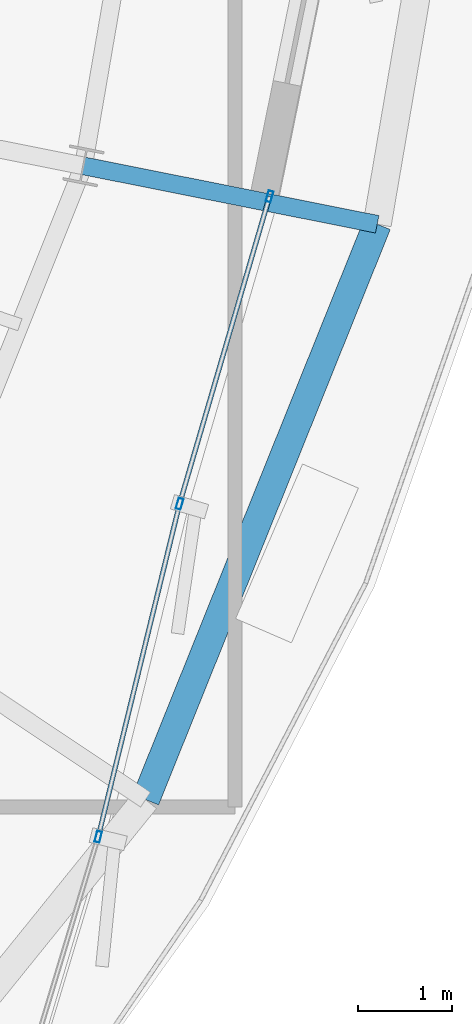
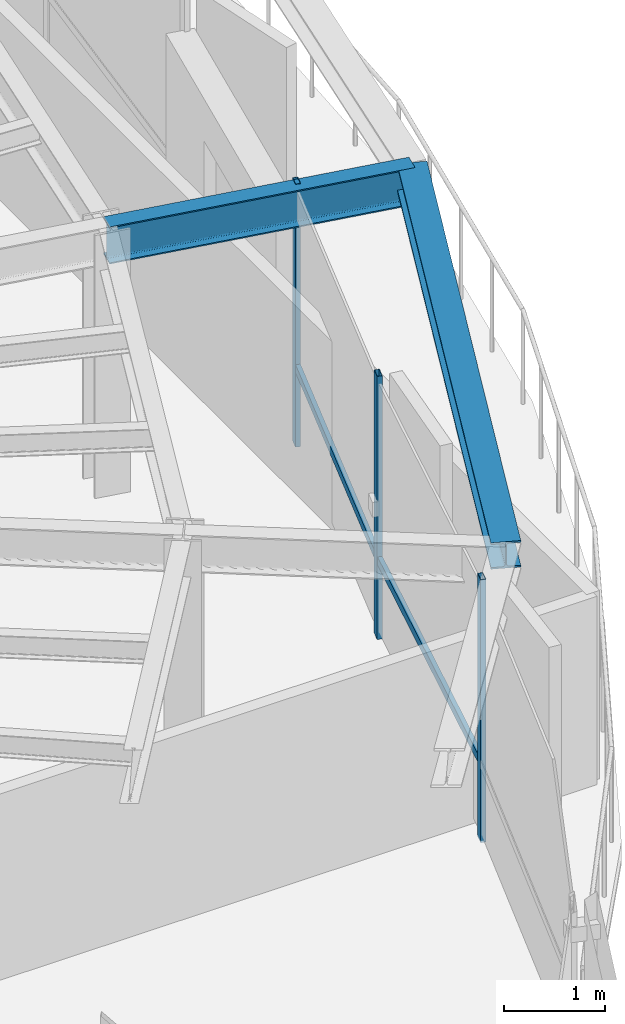
# One storey, part 14 of 31: 5 members, 2 beams, 1 element without a shape of its own.
"""IFC4 building model written with IfcOpenShell, lengths in metres."""

from ifc_helpers import new_model, si_unit, direction, frame, origin, origin_2d, place, context, subcontext, project, spatial, hollow_rectangle, i_section, extrude, source, transform, mapped, material, layer, layer_set, material_profile, profile_set, type_object, element, aggregate, save


model = new_model("IFC4")

# Units and contexts
model_context = context("Model", 3, precision=1e-05, world=origin(), true_north=direction((0.0, 1.0)))
body_context = subcontext(model_context, "Body", "Model", "MODEL_VIEW")
ifc_project = project(units=[si_unit("LENGTHUNIT", "METRE"), si_unit("AREAUNIT", "SQUARE_METRE"), si_unit("VOLUMEUNIT", "CUBIC_METRE"), si_unit("PLANEANGLEUNIT", "RADIAN"), si_unit("MASSUNIT", "GRAM", prefix="KILO"), si_unit("THERMODYNAMICTEMPERATUREUNIT", "KELVIN")], contexts=[model_context])

# Site, building, storey
site_placement = place(None, origin())
site = spatial("IfcSite", under=ifc_project, at=site_placement, CompositionType="ELEMENT")
building_placement = place(site_placement, origin())
building = spatial("IfcBuilding", under=site, at=building_placement, Name="Kethvar Cultural Tower", CompositionType="ELEMENT")
storey_placement = place(building_placement, frame((0.0, 0.0, 300.85009765625)))
storey = spatial("IfcBuildingStorey", under=building, at=storey_placement, Name="L80", CompositionType="ELEMENT", Elevation=300.85009765625)

# Beams
ifc_material_1 = material(Name="Steel S355J2", Category="steel")
ifc_material_profile_1 = material_profile(ifc_material_1, i_section(OverallWidth=0.18994140625, OverallDepth=0.449951171875, WebThickness=0.009521484375, FlangeThickness=0.0146484375, FilletRadius=0.02099609375, at=origin_2d()), Name="Steel S355J2 — IPE450")
ifc_profile_set_1 = profile_set([ifc_material_profile_1], Name="Steel S355J2 — IPE450")
beam_type_1 = type_object("IfcBeamType", Name="BM-IPE450", PredefinedType="BEAM", material=ifc_profile_set_1)
shared_shape_1 = source(origin(), body_context, "Body", "SweptSolid", [
    extrude(i_section(OverallWidth=0.18994140625, OverallDepth=0.449951171875, WebThickness=0.009521484375, FlangeThickness=0.0146484375, FilletRadius=0.02099609375, at=origin_2d()), origin(), (0.0, 0.0, 1.0), 3.199951171875),
])
beam_1_placement = place(storey_placement, frame((60.28369140625, 25.117919921875, 2.9580078125), z_axis=(0.980785550224, -0.195088965533, 0.0), x_axis=(0.195088965533, 0.980785550224, 0.0)))
element("IfcBeam", 1, at=beam_1_placement, inside=storey, type_object=beam_type_1, Name="L80 Perimeter Cantilever Beam RC-16", PredefinedType="BEAM", context=body_context, shape_type="MappedRepresentation", body=[
    mapped(shared_shape_1, transform((0.0, 0.0, 0.0), scale=1.0)),
])
ifc_material_profile_2 = material_profile(ifc_material_1, i_section(OverallWidth=0.300048828125, OverallDepth=0.320068359375, WebThickness=0.011474609375, FlangeThickness=0.0205078125, FilletRadius=0.027099609375, at=origin_2d()), Name="Steel S355J2 — HEB320")
ifc_profile_set_2 = profile_set([ifc_material_profile_2], Name="Steel S355J2 — HEB320")
beam_type_2 = type_object("IfcBeamType", Name="BM-SP320", PredefinedType="SPANDREL", material=ifc_profile_set_2)
shared_shape_2 = source(origin(), body_context, "Body", "SweptSolid", [
    extrude(i_section(OverallWidth=0.300048828125, OverallDepth=0.320068359375, WebThickness=0.011474609375, FlangeThickness=0.0205078125, FilletRadius=0.027099609375, at=origin_2d()), origin(), (0.0, 0.0, 1.0), 6.626220703125),
])
beam_2_placement = place(storey_placement, frame((60.94775390625, 18.3466796875, 3.02294921875), z_axis=(0.373416224197, 0.927663906545, 0.0), x_axis=(-0.927663906545, 0.373416224197, 0.0)))
element("IfcBeam", 2, at=beam_2_placement, inside=storey, type_object=beam_type_2, Name="L80 Perimeter Spandrel Beam SP-15", PredefinedType="SPANDREL", context=body_context, shape_type="MappedRepresentation", body=[
    mapped(shared_shape_2, transform((0.0, 0.0, 0.0), scale=1.0)),
])

# Curtain wall, members
ifc_material_2 = material(Name="Aluminium 6063-T6", Category="aluminium")
ifc_layer = layer(ifc_material_2, 0.179931640625, Name="Aluminium 6063-T6", Category="aluminium")
ifc_layer_set = layer_set([ifc_layer], Name="Aluminium 6063-T6 (180 mm)")
curtain_wall_type = type_object("IfcCurtainWallType", Name="CW-SYS-05-Z56", PredefinedType="NOTDEFINED", material=ifc_layer_set)
curtain_wall_placement = place(storey_placement, origin())
curtain_wall = element("IfcCurtainWall", 3, at=curtain_wall_placement, inside=storey, type_object=curtain_wall_type, Name="L80 Curtain Wall Run 05", PredefinedType="NOTDEFINED")
ifc_material_profile_3 = material_profile(ifc_material_2, hollow_rectangle(XDim=0.054931640625, YDim=0.1201171875, WallThickness=0.00390625, at=origin_2d()), Name="Aluminium 6063-T6 — RHS120x55x4")
ifc_profile_set_3 = profile_set([ifc_material_profile_3], Name="Aluminium 6063-T6 — RHS120x55x4")
member_type_1 = type_object("IfcMemberType", Name="CW-SYS-05-Z56-MUL", PredefinedType="MULLION", material=ifc_profile_set_3)
shared_shape_3 = source(origin(), body_context, "Body", "SweptSolid", [
    extrude(hollow_rectangle(XDim=0.054931640625, YDim=0.1201171875, WallThickness=0.00390625, at=origin_2d()), origin(), (0.0, 0.0, 1.0), 3.184814453125),
])
member_1_placement = place(storey_placement, frame((60.442138671875, 17.9501953125, 0.0), z_axis=(0.0, 0.0, 1.0), x_axis=(-0.971437404781, 0.237295951489, 0.0)))
member_1 = element("IfcMember", 4, at=member_1_placement, type_object=member_type_1, Name="CW-L80-R05 Mullion 3", PredefinedType="MULLION", context=body_context, shape_type="MappedRepresentation", body=[
    mapped(shared_shape_3, transform((0.0, 0.0, 0.0), scale=1.0)),
])
member_2_placement = place(storey_placement, frame((61.31103515625, 21.507080078125, 0.0), z_axis=(0.0, 0.0, 1.0), x_axis=(-0.959770994905, 0.280783969164, 0.0)))
member_2 = element("IfcMember", 5, at=member_2_placement, type_object=member_type_1, Name="CW-L80-R05 Mullion 4", PredefinedType="MULLION", context=body_context, shape_type="MappedRepresentation", body=[
    mapped(shared_shape_3, transform((0.0, 0.0, 0.0), scale=1.0)),
])
member_3_placement = place(storey_placement, frame((62.27197265625, 24.79150390625, 0.0), z_axis=(0.0, 0.0, 1.0), x_axis=(-0.959770994905, 0.280783969164, 0.0)))
member_3 = element("IfcMember", 6, at=member_3_placement, type_object=member_type_1, Name="CW-L80-R05 Mullion 5", PredefinedType="MULLION", context=body_context, shape_type="MappedRepresentation", body=[
    mapped(shared_shape_3, transform((0.0, 0.0, 0.0), scale=1.0)),
])
ifc_material_profile_4 = material_profile(ifc_material_2, hollow_rectangle(XDim=0.050048828125, YDim=0.10009765625, WallThickness=0.00390625, at=origin_2d()), Name="Aluminium 6063-T6 — RHS100x50x4")
ifc_profile_set_4 = profile_set([ifc_material_profile_4], Name="Aluminium 6063-T6 — RHS100x50x4")
member_type_2 = type_object("IfcMemberType", Name="CW-SYS-05-Z56-TRN", PredefinedType="USERDEFINED", material=ifc_profile_set_4)
shared_shape_4 = source(origin(), body_context, "Body", "SweptSolid", [
    extrude(hollow_rectangle(XDim=0.050048828125, YDim=0.10009765625, WallThickness=0.00390625, at=origin_2d()), origin(), (0.0, 0.0, 1.0), 3.577880859375),
])
member_4_placement = place(storey_placement, frame((60.451416015625, 17.98876953125, 0.949951171875), z_axis=(0.237330032126, 0.971429079167, 0.0), x_axis=(-0.971429079167, 0.237330032126, 0.0)))
member_4 = element("IfcMember", 7, at=member_4_placement, type_object=member_type_2, Name="CW-L80-R05 Transom 3", ObjectType="TRANSOM", PredefinedType="USERDEFINED", context=body_context, shape_type="MappedRepresentation", body=[
    mapped(shared_shape_4, transform((0.0, 0.0, 0.0), scale=1.0)),
])
shared_shape_5 = source(origin(), body_context, "Body", "SweptSolid", [
    extrude(hollow_rectangle(XDim=0.050048828125, YDim=0.10009765625, WallThickness=0.00390625, at=origin_2d()), origin(), (0.0, 0.0, 1.0), 3.378662109375),
])
member_5_placement = place(storey_placement, frame((61.322021484375, 21.545166015625, 0.949951171875), z_axis=(0.280804595399, 0.959764960395, 0.0), x_axis=(-0.959764960395, 0.280804595399, 0.0)))
member_5 = element("IfcMember", 8, at=member_5_placement, type_object=member_type_2, Name="CW-L80-R05 Transom 4", ObjectType="TRANSOM", PredefinedType="USERDEFINED", context=body_context, shape_type="MappedRepresentation", body=[
    mapped(shared_shape_5, transform((0.0, 0.0, 0.0), scale=1.0)),
])
aggregate(curtain_wall, [member_1, member_2, member_3, member_4, member_5])

save(model, "model.ifc")
